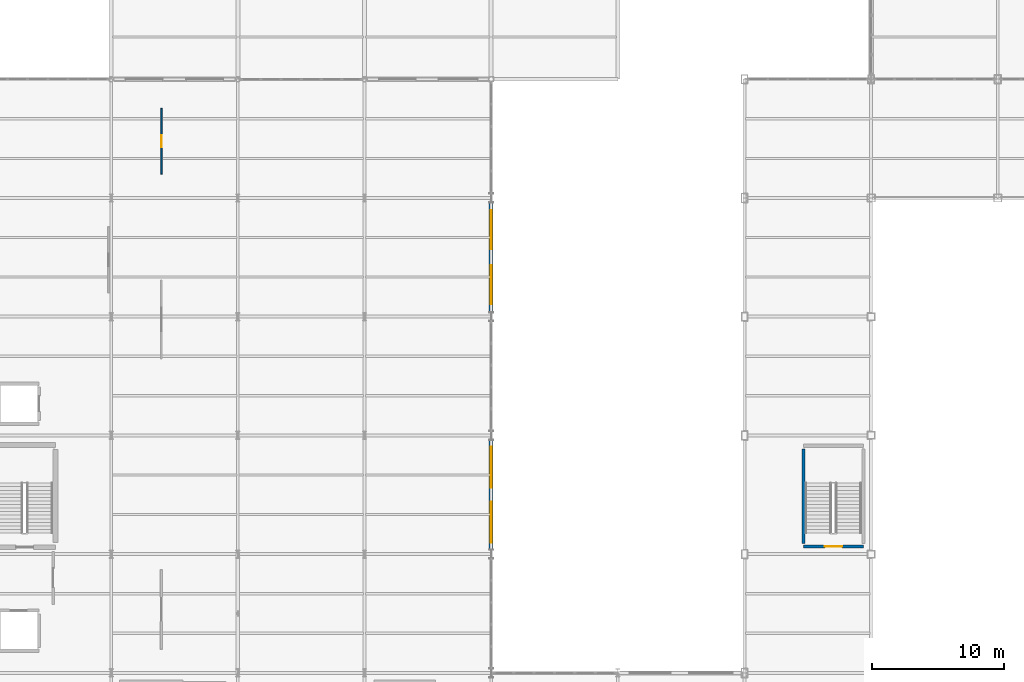
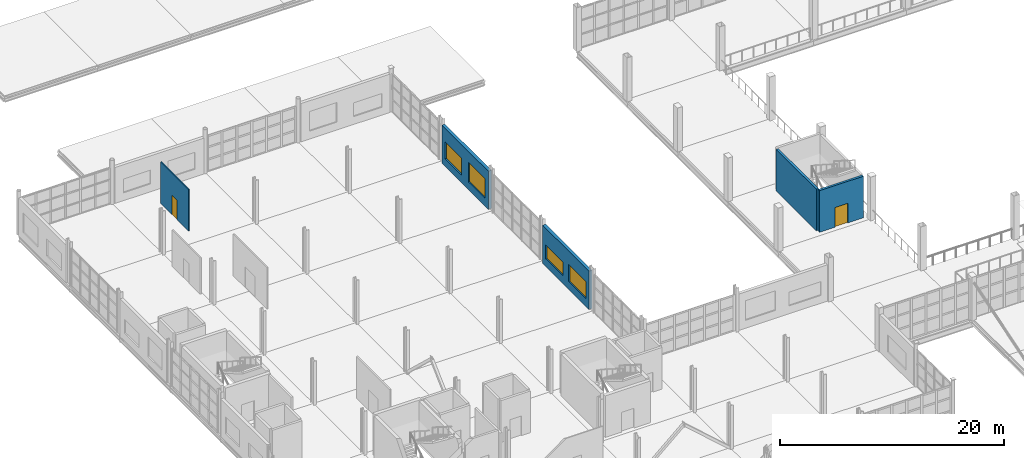
# One storey, part 108 of 120: 5 walls, 4 windows, 2 doors, 6 openings.
"""IFC4 building model written with IfcOpenShell, lengths in metres."""

from ifc_helpers import new_model, si_unit, direction, frame, frame_2d, origin, place, context, subcontext, project, spatial, rectangle, extrude, material, layer, layer_set, type_object, element, fill, save


model = new_model("IFC4")

# Units and contexts
model_context = context("Model", 3, precision=1e-05, world=origin(), true_north=direction((0.0, 1.0)))
body_context = subcontext(model_context, "Body", "Model", "MODEL_VIEW")
ifc_project = project(units=[si_unit("LENGTHUNIT", "METRE"), si_unit("AREAUNIT", "SQUARE_METRE"), si_unit("VOLUMEUNIT", "CUBIC_METRE"), si_unit("PLANEANGLEUNIT", "RADIAN"), si_unit("MASSUNIT", "GRAM", prefix="KILO")], contexts=[model_context])

# Site, building, storey
site_placement = place(None, origin())
site = spatial("IfcSite", under=ifc_project, at=site_placement, CompositionType="ELEMENT")
building_placement = place(site_placement, origin())
building = spatial("IfcBuilding", under=site, at=building_placement, Name="Zarnetskaya Central Station", CompositionType="ELEMENT")
storey_placement = place(building_placement, frame((0.0, 0.0, 5.39990234375)))
storey = spatial("IfcBuildingStorey", under=building, at=storey_placement, Name="L01", CompositionType="ELEMENT", Elevation=5.39990234375)

# Wall, opening, door
ifc_material_1 = material(Name="Gypsum moisture partition")
ifc_layer_1 = layer(ifc_material_1, 0.114990234375, Name="Gypsum moisture partition")
ifc_layer_set_1 = layer_set([ifc_layer_1], Name="Gypsum moisture partition")
wall_type_1 = type_object("IfcWallType", Name="PART-WC-115", PredefinedType="PARTITIONING", material=ifc_layer_set_1)
wall_1_placement = place(storey_placement, frame((13.39990234375, 60.0, 0.0), z_axis=(0.0, 0.0, 1.0), x_axis=(0.0, 1.0, 0.0)))
wall_1 = element("IfcWall", 1, at=wall_1_placement, inside=storey, type_object=wall_type_1, Name="Interior partition IPRT-L01-0416", PredefinedType="PARTITIONING", context=body_context, shape_type="SweptSolid", body=[
    extrude(rectangle(XDim=5.0, YDim=0.114990234375, at=frame_2d((2.5, 0.0))), origin(), (0.0, 0.0, 1.0), 4.5400390625),
])
opening_1_placement = place(wall_1_placement, frame((2.030029296875, 0.0, 0.0)))
opening_1 = element("IfcOpeningElement", 2, at=opening_1_placement, cuts=wall_1, Name="Opening DR-04", PredefinedType="OPENING", context=body_context, shape_type="SweptSolid", body=[
    extrude(rectangle(XDim=0.93994140625, YDim=2.1201171875, at=frame_2d((0.469970703125, 1.06005859375))), frame((0.0, 0.0673828125, 0.0), z_axis=(0.0, -1.0, 0.0), x_axis=(1.0, 0.0, 0.0)), (0.0, 0.0, 1.0), 0.135009765625),
])
ifc_material_2 = material(Name="Anodised aluminium", Category="aluminium")
door_type_1 = type_object("IfcDoorType", Name="DR-INT-19", OperationType="NOTDEFINED", PredefinedType="DOOR", material=ifc_material_2)
door_1_placement = place(opening_1_placement, origin())
door_1 = element("IfcDoor", 3, at=door_1_placement, inside=storey, type_object=door_type_1, Name="Public and Staff WC Suite L01 door", OperationType="SINGLE_SWING_RIGHT", OverallHeight=2.1201171875, OverallWidth=0.93994140625, PredefinedType="DOOR", context=body_context, shape_type="SweptSolid", body=[
    extrude(rectangle(XDim=0.93994140625, YDim=2.1201171875, at=frame_2d((0.469970703125, 1.06005859375))), frame((0.0, 0.02490234375, 0.0), z_axis=(0.0, -1.0, 0.0), x_axis=(1.0, 0.0, 0.0)), (0.0, 0.0, 1.0), 0.050048828125),
])
fill(opening_1, door_1)

# Wall, openings, windows
ifc_material_3 = material(Name="Precast concrete C40/50", Category="concrete")
ifc_layer_2 = layer(ifc_material_3, 0.320068359375, Name="Precast concrete C40/50", Category="concrete")
ifc_layer_set_2 = layer_set([ifc_layer_2], Name="Precast concrete C40/50")
wall_type_2 = type_object("IfcWallType", Name="WALL-EXT-320", PredefinedType="SOLIDWALL", material=ifc_layer_set_2)
wall_2_placement = place(storey_placement, frame((38.39990234375, 57.85009765625, 0.0), z_axis=(0.0, 0.0, 1.0), x_axis=(0.0, -1.0, 0.0)))
wall_2 = element("IfcWall", 4, at=wall_2_placement, inside=storey, type_object=wall_type_2, Name="Exterior precast wall EW-L01-384-578-384-496", PredefinedType="SOLIDWALL", context=body_context, shape_type="SweptSolid", body=[
    extrude(rectangle(XDim=8.300048828125, YDim=0.320068359375, at=frame_2d((4.14990234375, 0.0))), origin(), (0.0, 0.0, 1.0), 4.170166015625),
])
opening_2_placement = place(wall_2_placement, frame((0.60009765625, 0.0, 0.85009765625)))
opening_2 = element("IfcOpeningElement", 5, at=opening_2_placement, cuts=wall_2, Name="Opening WN-42", PredefinedType="OPENING", context=body_context, shape_type="SweptSolid", body=[
    extrude(rectangle(XDim=2.949951171875, YDim=1.85009765625, at=frame_2d((1.47509765625, 0.925048828125))), frame((0.0, 0.169921875, 0.0), z_axis=(0.0, -1.0, 0.0), x_axis=(1.0, 0.0, 0.0)), (0.0, 0.0, 1.0), 0.340087890625),
])
opening_3_placement = place(wall_2_placement, frame((4.75, 0.0, 0.85009765625)))
opening_3 = element("IfcOpeningElement", 6, at=opening_3_placement, cuts=wall_2, Name="Opening WN-51", PredefinedType="OPENING", context=body_context, shape_type="SweptSolid", body=[
    extrude(rectangle(XDim=2.949951171875, YDim=2.14990234375, at=frame_2d((1.47509765625, 1.074951171875))), frame((0.0, 0.169921875, 0.0), z_axis=(0.0, -1.0, 0.0), x_axis=(1.0, 0.0, 0.0)), (0.0, 0.0, 1.0), 0.340087890625),
])
ifc_material_4 = material(Name="Low-E insulated glass", Category="glass")
window_type_1 = type_object("IfcWindowType", Name="WIN-47", PartitioningType="DOUBLE_PANEL_VERTICAL", PredefinedType="WINDOW", material=ifc_material_4)
window_1_placement = place(opening_2_placement, origin())
window_1 = element("IfcWindow", 7, at=window_1_placement, inside=storey, type_object=window_type_1, Name="Facade window L01-0047", OverallHeight=1.85009765625, OverallWidth=2.949951171875, PartitioningType="SINGLE_PANEL", PredefinedType="WINDOW", context=body_context, shape_type="SweptSolid", body=[
    extrude(rectangle(XDim=2.949951171875, YDim=1.85009765625, at=frame_2d((1.47509765625, 0.925048828125))), frame((0.0, 0.030029296875, 0.0), z_axis=(0.0, -1.0, 0.0), x_axis=(1.0, 0.0, 0.0)), (0.0, 0.0, 1.0), 0.06005859375),
])
fill(opening_2, window_1)
window_type_2 = type_object("IfcWindowType", Name="WIN-48", PartitioningType="DOUBLE_PANEL_VERTICAL", PredefinedType="WINDOW", material=ifc_material_4)
window_2_placement = place(opening_3_placement, origin())
window_2 = element("IfcWindow", 8, at=window_2_placement, inside=storey, type_object=window_type_2, Name="Facade window L01-0048", OverallHeight=2.14990234375, OverallWidth=2.949951171875, PartitioningType="SINGLE_PANEL", PredefinedType="WINDOW", context=body_context, shape_type="SweptSolid", body=[
    extrude(rectangle(XDim=2.949951171875, YDim=2.14990234375, at=frame_2d((1.47509765625, 1.074951171875))), frame((0.0, 0.030029296875, 0.0), z_axis=(0.0, -1.0, 0.0), x_axis=(1.0, 0.0, 0.0)), (0.0, 0.0, 1.0), 0.06005859375),
])
fill(opening_3, window_2)

wall_3_placement = place(storey_placement, frame((38.39990234375, 39.85009765625, 0.0), z_axis=(0.0, 0.0, 1.0), x_axis=(0.0, -1.0, 0.0)))
wall_3 = element("IfcWall", 9, at=wall_3_placement, inside=storey, type_object=wall_type_2, Name="Exterior precast wall EW-L01-384-398-384-316", PredefinedType="SOLIDWALL", context=body_context, shape_type="SweptSolid", body=[
    extrude(rectangle(XDim=8.300048828125, YDim=0.320068359375, at=frame_2d((4.14990234375, 0.0))), origin(), (0.0, 0.0, 1.0), 4.170166015625),
])
opening_4_placement = place(wall_3_placement, frame((0.52490234375, 0.0, 0.85009765625)))
opening_4 = element("IfcOpeningElement", 10, at=opening_4_placement, cuts=wall_3, Name="Opening WN-36", PredefinedType="OPENING", context=body_context, shape_type="SweptSolid", body=[
    extrude(rectangle(XDim=3.10009765625, YDim=1.5, at=frame_2d((1.550048828125, 0.75))), frame((0.0, 0.169921875, 0.0), z_axis=(0.0, -1.0, 0.0), x_axis=(1.0, 0.0, 0.0)), (0.0, 0.0, 1.0), 0.340087890625),
])
opening_5_placement = place(wall_3_placement, frame((4.675048828125, 0.0, 0.85009765625)))
opening_5 = element("IfcOpeningElement", 11, at=opening_5_placement, cuts=wall_3, Name="Opening WN-19", PredefinedType="OPENING", context=body_context, shape_type="SweptSolid", body=[
    extrude(rectangle(XDim=3.10009765625, YDim=1.85009765625, at=frame_2d((1.550048828125, 0.925048828125))), frame((0.0, 0.169921875, 0.0), z_axis=(0.0, -1.0, 0.0), x_axis=(1.0, 0.0, 0.0)), (0.0, 0.0, 1.0), 0.340087890625),
])
window_type_3 = type_object("IfcWindowType", Name="WIN-49", PartitioningType="DOUBLE_PANEL_VERTICAL", PredefinedType="WINDOW", material=ifc_material_4)
window_3_placement = place(opening_4_placement, origin())
window_3 = element("IfcWindow", 12, at=window_3_placement, inside=storey, type_object=window_type_3, Name="Facade window L01-0049", OverallHeight=1.5, OverallWidth=3.10009765625, PartitioningType="SINGLE_PANEL", PredefinedType="WINDOW", context=body_context, shape_type="SweptSolid", body=[
    extrude(rectangle(XDim=3.10009765625, YDim=1.5, at=frame_2d((1.550048828125, 0.75))), frame((0.0, 0.030029296875, 0.0), z_axis=(0.0, -1.0, 0.0), x_axis=(1.0, 0.0, 0.0)), (0.0, 0.0, 1.0), 0.06005859375),
])
fill(opening_4, window_3)
window_type_4 = type_object("IfcWindowType", Name="WIN-50", PartitioningType="DOUBLE_PANEL_VERTICAL", PredefinedType="WINDOW", material=ifc_material_4)
window_4_placement = place(opening_5_placement, origin())
window_4 = element("IfcWindow", 13, at=window_4_placement, inside=storey, type_object=window_type_4, Name="Facade window L01-0050", OverallHeight=1.85009765625, OverallWidth=3.10009765625, PartitioningType="SINGLE_PANEL", PredefinedType="WINDOW", context=body_context, shape_type="SweptSolid", body=[
    extrude(rectangle(XDim=3.10009765625, YDim=1.85009765625, at=frame_2d((1.550048828125, 0.925048828125))), frame((0.0, 0.030029296875, 0.0), z_axis=(0.0, -1.0, 0.0), x_axis=(1.0, 0.0, 0.0)), (0.0, 0.0, 1.0), 0.06005859375),
])
fill(opening_5, window_4)

# Wall, opening, door
ifc_material_5 = material(Name="Concrete C35/45", Category="concrete")
ifc_layer_3 = layer(ifc_material_5, 0.239990234375, Name="Concrete C35/45", Category="concrete")
ifc_layer_set_3 = layer_set([ifc_layer_3], Name="Concrete C35/45")
wall_type_3 = type_object("IfcWallType", Name="WALL-SHFT-240", PredefinedType="SHEAR", material=ifc_layer_set_3)
wall_4_placement = place(storey_placement, frame((66.6201171875, 31.780029296875, 0.0), z_axis=(0.0, 0.0, 1.0), x_axis=(-1.0, 0.0, 0.0)))
wall_4 = element("IfcWall", 14, at=wall_4_placement, inside=storey, type_object=wall_type_3, Name="Core shear wall WSTR-L01-0277", PredefinedType="SHEAR", context=body_context, shape_type="SweptSolid", body=[
    extrude(rectangle(XDim=4.5400390625, YDim=0.239990234375, at=frame_2d((2.27001953125, 0.0))), origin(), (0.0, 0.0, 1.0), 4.5400390625),
])
opening_6_placement = place(wall_4_placement, frame((1.610107421875, 0.0, 0.0)))
opening_6 = element("IfcOpeningElement", 15, at=opening_6_placement, cuts=wall_4, Name="Opening DR-FD60", PredefinedType="OPENING", context=body_context, shape_type="SweptSolid", body=[
    extrude(rectangle(XDim=1.320068359375, YDim=2.14990234375, at=frame_2d((0.66015625, 1.074951171875))), frame((0.0, 0.1298828125, 0.0), z_axis=(0.0, -1.0, 0.0), x_axis=(1.0, 0.0, 0.0)), (0.0, 0.0, 1.0), 0.260009765625),
])
door_type_2 = type_object("IfcDoorType", Name="DR-FIRE-STAIR", OperationType="NOTDEFINED", PredefinedType="DOOR", material=ifc_material_2)
door_2_placement = place(opening_6_placement, origin())
door_2 = element("IfcDoor", 16, at=door_2_placement, inside=storey, type_object=door_type_2, Name="Protected exit stair door ST-H1 L01", OperationType="SINGLE_SWING_RIGHT", OverallHeight=2.14990234375, OverallWidth=1.320068359375, PredefinedType="DOOR", context=body_context, shape_type="SweptSolid", body=[
    extrude(rectangle(XDim=1.320068359375, YDim=2.14990234375, at=frame_2d((0.66015625, 1.074951171875))), frame((0.0, 0.02490234375, 0.0), z_axis=(0.0, -1.0, 0.0), x_axis=(1.0, 0.0, 0.0)), (0.0, 0.0, 1.0), 0.050048828125),
])
fill(opening_6, door_2)

# Wall
wall_5_placement = place(storey_placement, frame((62.080078125, 32.02001953125, 0.0), z_axis=(0.0, 0.0, 1.0), x_axis=(0.0, 1.0, 0.0)))
element("IfcWall", 17, at=wall_5_placement, inside=storey, type_object=wall_type_3, Name="Core shear wall WSTR-L01-0279", PredefinedType="SHEAR", context=body_context, shape_type="SweptSolid", body=[
    extrude(rectangle(XDim=7.159912109375, YDim=0.239990234375, at=frame_2d((3.580078125, 0.0))), origin(), (0.0, 0.0, 1.0), 4.5400390625),
])

save(model, "model.ifc")
